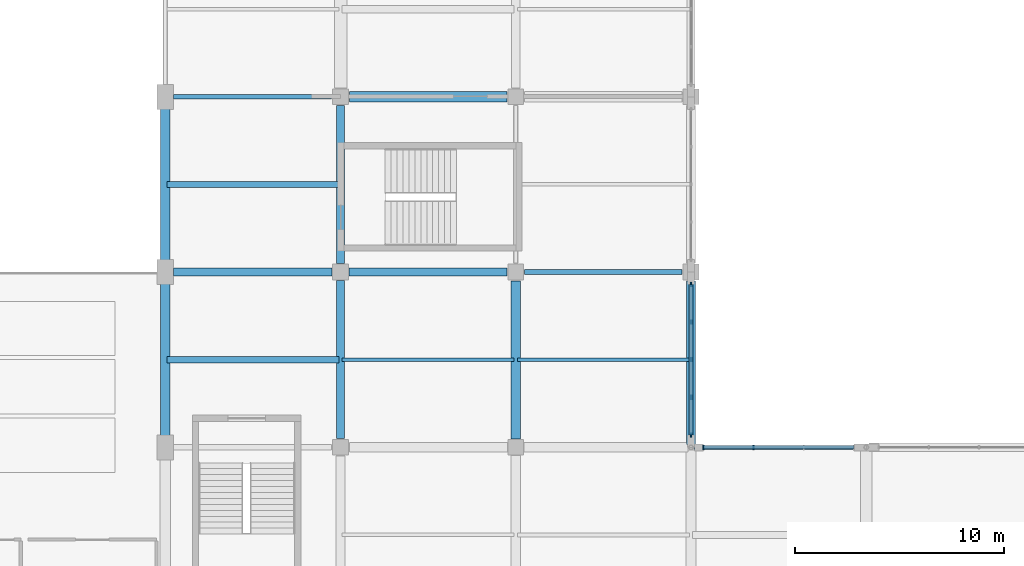
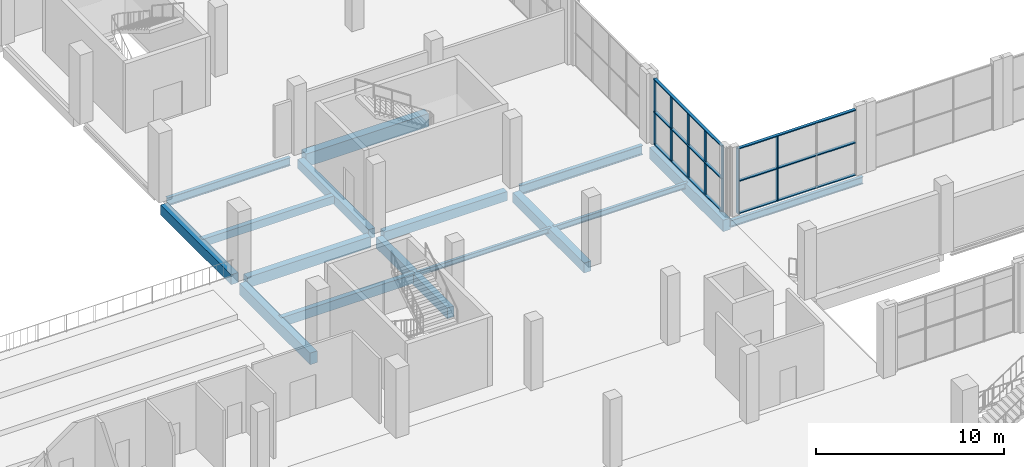
# One storey, part 20 of 75: 16 beams, 13 members, 2 elements without a shape of their own.
"""IFC4 building model written with IfcOpenShell, lengths in metres."""

from ifc_helpers import new_model, si_unit, derived_unit, direction, frame, origin, origin_2d, place, context, subcontext, project, spatial, rectangle, i_section, extrude, material, material_profile, profile_set, type_object, element, aggregate, save


model = new_model("IFC4")

# Units and contexts
model_context = context("Model", 3, precision=1e-05, world=origin(), true_north=direction((0.0, 1.0)))
body_context = subcontext(model_context, "Body", "Model", "MODEL_VIEW")
ifc_project = project(units=[si_unit("LENGTHUNIT", "METRE"), si_unit("AREAUNIT", "SQUARE_METRE"), si_unit("VOLUMEUNIT", "CUBIC_METRE"), si_unit("PLANEANGLEUNIT", "RADIAN"), si_unit("MASSUNIT", "GRAM", prefix="KILO"), derived_unit("THERMALTRANSMITTANCEUNIT", [(si_unit("POWERUNIT", "WATT"), 1), (si_unit("LENGTHUNIT", "METRE"), -2), (si_unit("THERMODYNAMICTEMPERATUREUNIT", "KELVIN"), -1)])], contexts=[model_context])

# Site, building, storey
site_placement = place(None, origin())
site = spatial("IfcSite", under=ifc_project, at=site_placement, CompositionType="ELEMENT")
building_placement = place(site_placement, origin())
building = spatial("IfcBuilding", under=site, at=building_placement, Name="Barrovel Congress Hotel", CompositionType="ELEMENT")
storey_placement = place(building_placement, frame((0.0, 0.0, 5.39990234375)))
storey = spatial("IfcBuildingStorey", under=building, at=storey_placement, Name="L01", CompositionType="ELEMENT", Elevation=5.39990234375)

# Beams
ifc_material_1 = material(Name="Concrete C40", Category="concrete")
ifc_material_profile_1 = material_profile(ifc_material_1, rectangle(XDim=0.300048828125, YDim=0.5, at=origin_2d()), Name="RC300x500")
ifc_profile_set_1 = profile_set([ifc_material_profile_1], Name="Concrete C40")
beam_type_1 = type_object("IfcBeamType", Name="BM-RC300x500", PredefinedType="JOIST", material=ifc_profile_set_1)
beam_1_placement = place(storey_placement, frame((33.679931640625, 58.800048828125, -0.510009765625), z_axis=(1.0, 0.0, 0.0), x_axis=(0.0, 1.0, 0.0)))
element("IfcBeam", 1, at=beam_1_placement, inside=storey, type_object=beam_type_1, Name="JST:L01:33.6:58.8", PredefinedType="JOIST", context=body_context, shape_type="SweptSolid", body=[
    extrude(rectangle(XDim=0.300048828125, YDim=0.5, at=origin_2d()), origin(), (0.0, 0.0, 1.0), 8.239990234375),
])
ifc_material_profile_2 = material_profile(ifc_material_1, rectangle(XDim=0.300048828125, YDim=0.60009765625, at=origin_2d()), Name="RC300x600")
ifc_profile_set_2 = profile_set([ifc_material_profile_2], Name="Concrete C40")
beam_type_2 = type_object("IfcBeamType", Name="BM-RC300x600", PredefinedType="JOIST", material=ifc_profile_set_2)
beam_2_placement = place(storey_placement, frame((33.679931640625, 50.39990234375, -0.559814453125), z_axis=(1.0, 0.0, 0.0), x_axis=(0.0, 1.0, 0.0)))
element("IfcBeam", 2, at=beam_2_placement, inside=storey, type_object=beam_type_2, Name="JST:L01:33.6:50.4", PredefinedType="JOIST", context=body_context, shape_type="SweptSolid", body=[
    extrude(rectangle(XDim=0.300048828125, YDim=0.60009765625, at=origin_2d()), origin(), (0.0, 0.0, 1.0), 8.239990234375),
])
ifc_material_profile_3 = material_profile(ifc_material_1, rectangle(XDim=0.39990234375, YDim=0.60009765625, at=origin_2d()), Name="RC400x600")
ifc_profile_set_3 = profile_set([ifc_material_profile_3], Name="Concrete C40")
beam_type_3 = type_object("IfcBeamType", Name="BM-RC400x600", PredefinedType="BEAM", material=ifc_profile_set_3)
beam_3_placement = place(storey_placement, frame((42.39990234375, 54.60009765625, -0.559814453125), z_axis=(1.0, 0.0, 0.0), x_axis=(0.0, 1.0, 0.0)))
element("IfcBeam", 3, at=beam_3_placement, inside=storey, type_object=beam_type_3, Name="BMX:L01:54.6:42.0-50.4", PredefinedType="BEAM", context=body_context, shape_type="SweptSolid", body=[
    extrude(rectangle(XDim=0.39990234375, YDim=0.60009765625, at=origin_2d()), origin(), (0.0, 0.0, 1.0), 7.5751953125),
])
beam_4_placement = place(storey_placement, frame((42.0, 55.0, -0.559814453125), z_axis=(0.0, 1.0, 0.0), x_axis=(-1.0, 0.0, 0.0)))
element("IfcBeam", 4, at=beam_4_placement, inside=storey, type_object=beam_type_3, Name="BMY:L01:42.0:54.6-63.0", PredefinedType="BEAM", context=body_context, shape_type="SweptSolid", body=[
    extrude(rectangle(XDim=0.39990234375, YDim=0.60009765625, at=origin_2d()), origin(), (0.0, 0.0, 1.0), 7.574951171875),
])
ifc_material_profile_4 = material_profile(ifc_material_1, rectangle(XDim=0.39990234375, YDim=0.699951171875, at=origin_2d()), Name="RC400x700")
ifc_profile_set_4 = profile_set([ifc_material_profile_4], Name="Concrete C40")
beam_type_4 = type_object("IfcBeamType", Name="BM-RC400x700", PredefinedType="BEAM", material=ifc_profile_set_4)
beam_5_placement = place(storey_placement, frame((34.0, 54.60009765625, -0.60986328125), z_axis=(1.0, 0.0, 0.0), x_axis=(0.0, 1.0, 0.0)))
element("IfcBeam", 5, at=beam_5_placement, inside=storey, type_object=beam_type_4, Name="BMX:L01:54.6:33.6-42.0", PredefinedType="BEAM", context=body_context, shape_type="SweptSolid", body=[
    extrude(rectangle(XDim=0.39990234375, YDim=0.699951171875, at=origin_2d()), origin(), (0.0, 0.0, 1.0), 7.60009765625),
])
beam_6_placement = place(storey_placement, frame((42.0, 46.625, -0.60986328125), z_axis=(0.0, 1.0, 0.0), x_axis=(-1.0, 0.0, 0.0)))
element("IfcBeam", 6, at=beam_6_placement, inside=storey, type_object=beam_type_4, Name="BMY:L01:42.0:46.2-54.6", PredefinedType="BEAM", context=body_context, shape_type="SweptSolid", body=[
    extrude(rectangle(XDim=0.39990234375, YDim=0.699951171875, at=origin_2d()), origin(), (0.0, 0.0, 1.0), 7.574951171875),
])
ifc_material_profile_5 = material_profile(ifc_material_1, rectangle(XDim=0.449951171875, YDim=0.64990234375, at=origin_2d()), Name="RC450x650")
ifc_profile_set_5 = profile_set([ifc_material_profile_5], Name="Concrete C40")
beam_type_5 = type_object("IfcBeamType", Name="BM-RC450x650", PredefinedType="BEAM", material=ifc_profile_set_5)
beam_7_placement = place(storey_placement, frame((33.60009765625, 55.050048828125, -0.5849609375), z_axis=(0.0, 1.0, 0.0), x_axis=(-1.0, 0.0, 0.0)))
element("IfcBeam", 7, at=beam_7_placement, inside=storey, type_object=beam_type_5, Name="BMY:L01:33.6:54.6-63.0", PredefinedType="BEAM", context=body_context, shape_type="SweptSolid", body=[
    extrude(rectangle(XDim=0.449951171875, YDim=0.64990234375, at=origin_2d()), origin(), (0.0, 0.0, 1.0), 7.5),
])
beam_8_placement = place(storey_placement, frame((50.39990234375, 46.60009765625, -0.5849609375), z_axis=(0.0, 1.0, 0.0), x_axis=(-1.0, 0.0, 0.0)))
element("IfcBeam", 8, at=beam_8_placement, inside=storey, type_object=beam_type_5, Name="BMY:L01:50.4:46.2-54.6", PredefinedType="BEAM", context=body_context, shape_type="SweptSolid", body=[
    extrude(rectangle(XDim=0.449951171875, YDim=0.64990234375, at=origin_2d()), origin(), (0.0, 0.0, 1.0), 7.574951171875),
])
ifc_material_profile_6 = material_profile(ifc_material_1, rectangle(XDim=0.449951171875, YDim=0.75, at=origin_2d()), Name="RC450x750")
ifc_profile_set_6 = profile_set([ifc_material_profile_6], Name="Concrete C40")
beam_type_6 = type_object("IfcBeamType", Name="BM-RC450x750", PredefinedType="BEAM", material=ifc_profile_set_6)
beam_9_placement = place(storey_placement, frame((33.60009765625, 46.64990234375, -0.635009765625), z_axis=(0.0, 1.0, 0.0), x_axis=(-1.0, 0.0, 0.0)))
element("IfcBeam", 9, at=beam_9_placement, inside=storey, type_object=beam_type_6, Name="BMY:L01:33.6:46.2-54.6", PredefinedType="BEAM", context=body_context, shape_type="SweptSolid", body=[
    extrude(rectangle(XDim=0.449951171875, YDim=0.75, at=origin_2d()), origin(), (0.0, 0.0, 1.0), 7.5),
])
beam_10_placement = place(storey_placement, frame((58.800048828125, 46.336669921875, -0.635009765625), z_axis=(0.0, 1.0, 0.0), x_axis=(-1.0, 0.0, 0.0)))
element("IfcBeam", 10, at=beam_10_placement, inside=storey, type_object=beam_type_6, Name="BMY:L01:58.8:46.2-54.6", PredefinedType="BEAM", context=body_context, shape_type="SweptSolid", body=[
    extrude(rectangle(XDim=0.449951171875, YDim=0.75, at=origin_2d()), origin(), (0.0, 0.0, 1.0), 7.83837890625),
])
ifc_material_profile_7 = material_profile(ifc_material_1, rectangle(XDim=0.5, YDim=0.85009765625, at=origin_2d()), Name="RC500x850")
ifc_profile_set_7 = profile_set([ifc_material_profile_7], Name="Concrete C40")
beam_type_7 = type_object("IfcBeamType", Name="BM-RC500x850", PredefinedType="BEAM", material=ifc_profile_set_7)
beam_11_placement = place(storey_placement, frame((42.425048828125, 63.0, -0.684814453125), z_axis=(1.0, 0.0, 0.0), x_axis=(0.0, 1.0, 0.0)))
element("IfcBeam", 11, at=beam_11_placement, inside=storey, type_object=beam_type_7, Name="BMX:L01:63.0:42.0-50.4", PredefinedType="BEAM", context=body_context, shape_type="SweptSolid", body=[
    extrude(rectangle(XDim=0.5, YDim=0.85009765625, at=origin_2d()), origin(), (0.0, 0.0, 1.0), 7.550048828125),
])

# Curtain wall, members
ifc_material_2 = material(Name="Anodised Aluminium Alloy 6063-T6", Category="aluminium")
curtain_wall_type = type_object("IfcCurtainWallType", Name="CW-ST-7200x3600", PredefinedType="USERDEFINED", material=ifc_material_2)
curtain_wall_1_placement = place(storey_placement, origin())
curtain_wall_1 = element("IfcCurtainWall", 12, at=curtain_wall_1_placement, inside=storey, type_object=curtain_wall_type, Name="CW:L01:CW:46.2", ObjectType="STICK CURTAIN WALL", PredefinedType="USERDEFINED")
ifc_material_profile_8 = material_profile(ifc_material_2, rectangle(XDim=0.06494140625, YDim=0.219970703125, at=origin_2d()), Name="AL-M65x220")
ifc_profile_set_8 = profile_set([ifc_material_profile_8], Name="Anodised Aluminium Alloy 6063-T6")
member_type_1 = type_object("IfcMemberType", Name="CWM-AL-M65x220", PredefinedType="MULLION", material=ifc_profile_set_8)
member_1_placement = place(storey_placement, frame((58.800048828125, 46.800048828125, 0.0), z_axis=(0.0, 0.0, 1.0), x_axis=(1.0, 0.0, 0.0)))
member_1 = element("IfcMember", 13, at=member_1_placement, type_object=member_type_1, Name="CW:L01:CW:46.2:M0", PredefinedType="MULLION", context=body_context, shape_type="SweptSolid", body=[
    extrude(rectangle(XDim=0.06494140625, YDim=0.219970703125, at=origin_2d()), origin(), (0.0, 0.0, 1.0), 4.22021484375),
])
member_2_placement = place(storey_placement, frame((58.800048828125, 48.60009765625, 0.0), z_axis=(0.0, 0.0, 1.0), x_axis=(1.0, 0.0, 0.0)))
member_2 = element("IfcMember", 14, at=member_2_placement, type_object=member_type_1, Name="CW:L01:CW:46.2:M1", PredefinedType="MULLION", context=body_context, shape_type="SweptSolid", body=[
    extrude(rectangle(XDim=0.06494140625, YDim=0.219970703125, at=origin_2d()), origin(), (0.0, 0.0, 1.0), 4.22021484375),
])
member_3_placement = place(storey_placement, frame((58.800048828125, 50.39990234375, 0.0), z_axis=(0.0, 0.0, 1.0), x_axis=(1.0, 0.0, 0.0)))
member_3 = element("IfcMember", 15, at=member_3_placement, type_object=member_type_1, Name="CW:L01:CW:46.2:M2", PredefinedType="MULLION", context=body_context, shape_type="SweptSolid", body=[
    extrude(rectangle(XDim=0.06494140625, YDim=0.219970703125, at=origin_2d()), origin(), (0.0, 0.0, 1.0), 4.22021484375),
])
member_4_placement = place(storey_placement, frame((58.800048828125, 52.199951171875, 0.0), z_axis=(0.0, 0.0, 1.0), x_axis=(1.0, 0.0, 0.0)))
member_4 = element("IfcMember", 16, at=member_4_placement, type_object=member_type_1, Name="CW:L01:CW:46.2:M3", PredefinedType="MULLION", context=body_context, shape_type="SweptSolid", body=[
    extrude(rectangle(XDim=0.06494140625, YDim=0.219970703125, at=origin_2d()), origin(), (0.0, 0.0, 1.0), 4.22021484375),
])
member_5_placement = place(storey_placement, frame((58.800048828125, 54.0, 0.0), z_axis=(0.0, 0.0, 1.0), x_axis=(1.0, 0.0, 0.0)))
member_5 = element("IfcMember", 17, at=member_5_placement, type_object=member_type_1, Name="CW:L01:CW:46.2:M4", PredefinedType="MULLION", context=body_context, shape_type="SweptSolid", body=[
    extrude(rectangle(XDim=0.06494140625, YDim=0.219970703125, at=origin_2d()), origin(), (0.0, 0.0, 1.0), 4.22021484375),
])

curtain_wall_2_placement = place(storey_placement, origin())
curtain_wall_2 = element("IfcCurtainWall", 18, at=curtain_wall_2_placement, inside=storey, type_object=curtain_wall_type, Name="CW:L01:CL:07", ObjectType="STICK CURTAIN WALL", PredefinedType="USERDEFINED")
member_6_placement = place(storey_placement, frame((61.800048828125, 46.199951171875, 0.0), z_axis=(0.0, 0.0, 1.0), x_axis=(1.0, 0.0, 0.0)))
member_6 = element("IfcMember", 19, at=member_6_placement, type_object=member_type_1, Name="CW:L01:CL:07:M2", PredefinedType="MULLION", context=body_context, shape_type="SweptSolid", body=[
    extrude(rectangle(XDim=0.06494140625, YDim=0.219970703125, at=origin_2d()), origin(), (0.0, 0.0, 1.0), 4.22021484375),
])
member_7_placement = place(storey_placement, frame((59.39990234375, 46.199951171875, 0.0), z_axis=(0.0, 0.0, 1.0), x_axis=(1.0, 0.0, 0.0)))
member_7 = element("IfcMember", 20, at=member_7_placement, type_object=member_type_1, Name="CW:L01:CL:07:M3", PredefinedType="MULLION", context=body_context, shape_type="SweptSolid", body=[
    extrude(rectangle(XDim=0.06494140625, YDim=0.219970703125, at=origin_2d()), origin(), (0.0, 0.0, 1.0), 4.22021484375),
])

# Member
ifc_material_profile_9 = material_profile(ifc_material_2, rectangle(XDim=0.179931640625, YDim=0.06494140625, at=origin_2d()), Name="AL-T65x180")
ifc_profile_set_9 = profile_set([ifc_material_profile_9], Name="Anodised Aluminium Alloy 6063-T6")
member_type_2 = type_object("IfcMemberType", Name="CWT-AL-T65x180", PredefinedType="USERDEFINED", material=ifc_profile_set_9)
member_8_placement = place(storey_placement, frame((58.800048828125, 46.800048828125, 0.0), z_axis=(0.0, 1.0, 0.0), x_axis=(-1.0, 0.0, 0.0)))
member_8 = element("IfcMember", 21, at=member_8_placement, type_object=member_type_2, Name="CW:L01:CW:46.2:T0", ObjectType="TRANSOM", PredefinedType="USERDEFINED", context=body_context, shape_type="SweptSolid", body=[
    extrude(rectangle(XDim=0.179931640625, YDim=0.06494140625, at=origin_2d()), origin(), (0.0, 0.0, 1.0), 7.199951171875),
])

member_9_placement = place(storey_placement, frame((58.800048828125, 46.800048828125, 2.110107421875), z_axis=(0.0, 1.0, 0.0), x_axis=(-1.0, 0.0, 0.0)))
member_9 = element("IfcMember", 22, at=member_9_placement, type_object=member_type_2, Name="CW:L01:CW:46.2:T1", ObjectType="TRANSOM", PredefinedType="USERDEFINED", context=body_context, shape_type="SweptSolid", body=[
    extrude(rectangle(XDim=0.179931640625, YDim=0.06494140625, at=origin_2d()), origin(), (0.0, 0.0, 1.0), 7.199951171875),
])

member_10_placement = place(storey_placement, frame((58.800048828125, 46.800048828125, 4.22021484375), z_axis=(0.0, 1.0, 0.0), x_axis=(-1.0, 0.0, 0.0)))
member_10 = element("IfcMember", 23, at=member_10_placement, type_object=member_type_2, Name="CW:L01:CW:46.2:T2", ObjectType="TRANSOM", PredefinedType="USERDEFINED", context=body_context, shape_type="SweptSolid", body=[
    extrude(rectangle(XDim=0.179931640625, YDim=0.06494140625, at=origin_2d()), origin(), (0.0, 0.0, 1.0), 7.199951171875),
])

aggregate(curtain_wall_1, [member_1, member_2, member_3, member_4, member_5, member_8, member_9, member_10])

member_11_placement = place(storey_placement, frame((66.60009765625, 46.199951171875, 0.0), z_axis=(-1.0, 0.0, 0.0), x_axis=(0.0, -1.0, 0.0)))
member_11 = element("IfcMember", 24, at=member_11_placement, type_object=member_type_2, Name="CW:L01:CL:07:T0", ObjectType="TRANSOM", PredefinedType="USERDEFINED", context=body_context, shape_type="SweptSolid", body=[
    extrude(rectangle(XDim=0.179931640625, YDim=0.06494140625, at=origin_2d()), origin(), (0.0, 0.0, 1.0), 7.2001953125),
])

member_12_placement = place(storey_placement, frame((66.60009765625, 46.199951171875, 2.110107421875), z_axis=(-1.0, 0.0, 0.0), x_axis=(0.0, -1.0, 0.0)))
member_12 = element("IfcMember", 25, at=member_12_placement, type_object=member_type_2, Name="CW:L01:CL:07:T1", ObjectType="TRANSOM", PredefinedType="USERDEFINED", context=body_context, shape_type="SweptSolid", body=[
    extrude(rectangle(XDim=0.179931640625, YDim=0.06494140625, at=origin_2d()), origin(), (0.0, 0.0, 1.0), 7.2001953125),
])

member_13_placement = place(storey_placement, frame((66.60009765625, 46.199951171875, 4.22021484375), z_axis=(-1.0, 0.0, 0.0), x_axis=(0.0, -1.0, 0.0)))
member_13 = element("IfcMember", 26, at=member_13_placement, type_object=member_type_2, Name="CW:L01:CL:07:T2", ObjectType="TRANSOM", PredefinedType="USERDEFINED", context=body_context, shape_type="SweptSolid", body=[
    extrude(rectangle(XDim=0.179931640625, YDim=0.06494140625, at=origin_2d()), origin(), (0.0, 0.0, 1.0), 7.2001953125),
])

aggregate(curtain_wall_2, [member_6, member_7, member_11, member_12, member_13])

# Beams
ifc_material_3 = material(Name="Steel ASTM A992 Grade 50", Category="steel")
ifc_material_profile_10 = material_profile(ifc_material_3, i_section(OverallWidth=0.1650390625, OverallDepth=0.31005859375, WebThickness=0.005859375, FlangeThickness=0.009765625, FilletRadius=0.010986328125, at=origin_2d()), Name="W310x39")
ifc_profile_set_10 = profile_set([ifc_material_profile_10], Name="Steel ASTM A992 Grade 50")
beam_type_8 = type_object("IfcBeamType", Name="SBM-W310x39", PredefinedType="JOIST", material=ifc_profile_set_10)
beam_12_placement = place(storey_placement, frame((42.080078125, 50.39990234375, -0.414794921875), z_axis=(1.0, 0.0, 0.0), x_axis=(0.0, 1.0, 0.0)))
element("IfcBeam", 27, at=beam_12_placement, inside=storey, type_object=beam_type_8, Name="JST:L01:42.0:50.4", PredefinedType="JOIST", context=body_context, shape_type="SweptSolid", body=[
    extrude(i_section(OverallWidth=0.1650390625, OverallDepth=0.31005859375, WebThickness=0.005859375, FlangeThickness=0.009765625, FilletRadius=0.010986328125, at=origin_2d()), origin(), (0.0, 0.0, 1.0), 8.239990234375),
])
ifc_material_profile_11 = material_profile(ifc_material_3, i_section(OverallWidth=0.172119140625, OverallDepth=0.35791015625, WebThickness=0.0078125, FlangeThickness=0.01318359375, FilletRadius=0.011962890625, at=origin_2d()), Name="W360x57")
ifc_profile_set_11 = profile_set([ifc_material_profile_11], Name="Steel ASTM A992 Grade 50")
beam_type_9 = type_object("IfcBeamType", Name="SBM-W360x57", PredefinedType="JOIST", material=ifc_profile_set_11)
beam_13_placement = place(storey_placement, frame((50.47998046875, 50.39990234375, -0.43896484375), z_axis=(1.0, 0.0, 0.0), x_axis=(0.0, 1.0, 0.0)))
element("IfcBeam", 28, at=beam_13_placement, inside=storey, type_object=beam_type_9, Name="JST:L01:50.4:50.4", PredefinedType="JOIST", context=body_context, shape_type="SweptSolid", body=[
    extrude(i_section(OverallWidth=0.172119140625, OverallDepth=0.35791015625, WebThickness=0.0078125, FlangeThickness=0.01318359375, FilletRadius=0.011962890625, at=origin_2d()), origin(), (0.0, 0.0, 1.0), 8.239990234375),
])
ifc_material_profile_12 = material_profile(ifc_material_3, i_section(OverallWidth=0.19091796875, OverallDepth=0.4599609375, WebThickness=0.010009765625, FlangeThickness=0.01611328125, FilletRadius=0.012939453125, at=origin_2d()), Name="W460x82")
ifc_profile_set_12 = profile_set([ifc_material_profile_12], Name="Steel ASTM A992 Grade 50")
beam_type_10 = type_object("IfcBeamType", Name="SBM-W460x82", PredefinedType="BEAM", material=ifc_profile_set_12)
beam_14_placement = place(storey_placement, frame((58.9365234375, 46.199951171875, -0.489990234375), z_axis=(1.0, 0.0, 0.0), x_axis=(0.0, 1.0, 0.0)))
element("IfcBeam", 29, at=beam_14_placement, inside=storey, type_object=beam_type_10, Name="BMX:L01:46.2:58.8-67.2", PredefinedType="BEAM", context=body_context, shape_type="SweptSolid", body=[
    extrude(i_section(OverallWidth=0.19091796875, OverallDepth=0.4599609375, WebThickness=0.010009765625, FlangeThickness=0.01611328125, FilletRadius=0.012939453125, at=origin_2d()), origin(), (0.0, 0.0, 1.0), 8.126953125),
])
ifc_material_profile_13 = material_profile(ifc_material_3, i_section(OverallWidth=0.208984375, OverallDepth=0.529052734375, WebThickness=0.009765625, FlangeThickness=0.013671875, FilletRadius=0.013916015625, at=origin_2d()), Name="W530x74")
ifc_profile_set_13 = profile_set([ifc_material_profile_13], Name="Steel ASTM A992 Grade 50")
beam_type_11 = type_object("IfcBeamType", Name="SBM-W530x74", PredefinedType="BEAM", material=ifc_profile_set_13)
beam_15_placement = place(storey_placement, frame((34.0, 63.0, -0.5244140625), z_axis=(1.0, 0.0, 0.0), x_axis=(0.0, 1.0, 0.0)))
element("IfcBeam", 30, at=beam_15_placement, inside=storey, type_object=beam_type_11, Name="BMX:L01:63.0:33.6-42.0", PredefinedType="BEAM", context=body_context, shape_type="SweptSolid", body=[
    extrude(i_section(OverallWidth=0.208984375, OverallDepth=0.529052734375, WebThickness=0.009765625, FlangeThickness=0.013671875, FilletRadius=0.013916015625, at=origin_2d()), origin(), (0.0, 0.0, 1.0), 7.574951171875),
])
ifc_material_profile_14 = material_profile(ifc_material_3, i_section(OverallWidth=0.22802734375, OverallDepth=0.60302734375, WebThickness=0.010498046875, FlangeThickness=0.014892578125, FilletRadius=0.014892578125, at=origin_2d()), Name="W610x101")
ifc_profile_set_14 = profile_set([ifc_material_profile_14], Name="Steel ASTM A992 Grade 50")
beam_type_12 = type_object("IfcBeamType", Name="SBM-W610x101", PredefinedType="BEAM", material=ifc_profile_set_14)
beam_16_placement = place(storey_placement, frame((50.824951171875, 54.60009765625, -0.5615234375), z_axis=(1.0, 0.0, 0.0), x_axis=(0.0, 1.0, 0.0)))
element("IfcBeam", 31, at=beam_16_placement, inside=storey, type_object=beam_type_12, Name="BMX:L01:54.6:50.4-58.8", PredefinedType="BEAM", context=body_context, shape_type="SweptSolid", body=[
    extrude(i_section(OverallWidth=0.22802734375, OverallDepth=0.60302734375, WebThickness=0.010498046875, FlangeThickness=0.014892578125, FilletRadius=0.014892578125, at=origin_2d()), origin(), (0.0, 0.0, 1.0), 7.550048828125),
])

save(model, "model.ifc")
